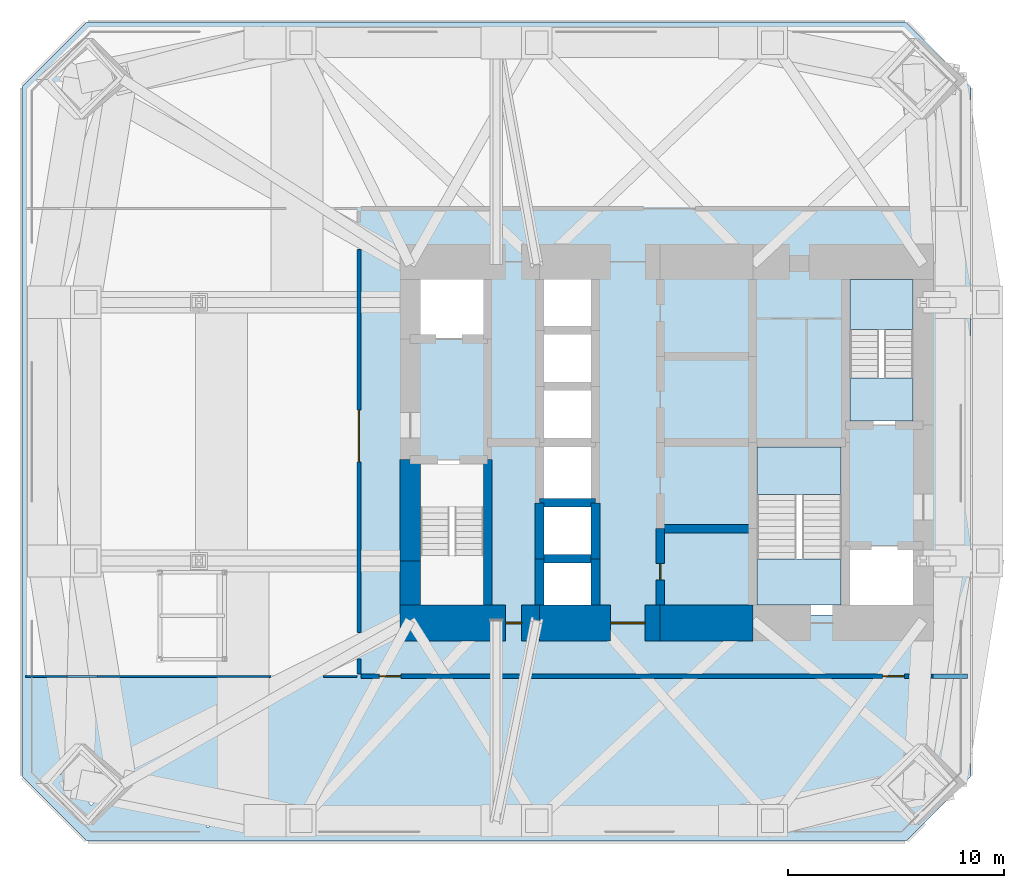
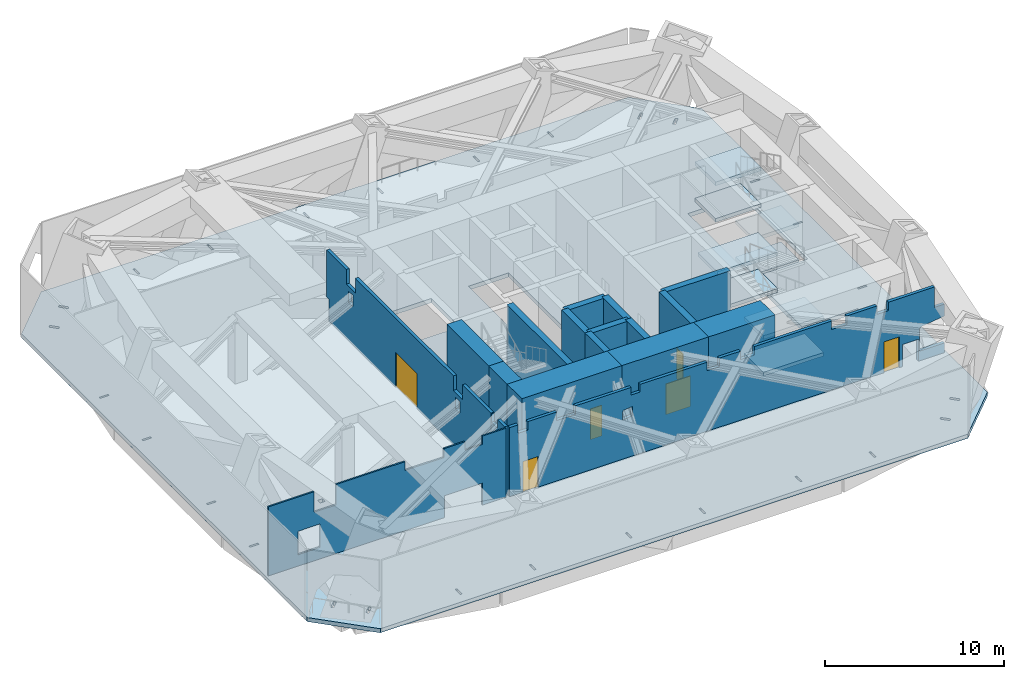
# One storey, part 4 of 8: 18 walls, 9 slabs, 6 doors, 6 openings, 2 elements without a shape of their own.
"""IFC4 building model written with IfcOpenShell, lengths in metres."""

from ifc_helpers import new_model, si_unit, direction, frame, frame_2d, origin, place, context, subcontext, project, spatial, polyline, rectangle, outline, extrude, material, layer, layer_set, constituent, constituent_set, type_object, element, fill, aggregate, save


model = new_model("IFC4")

# Units and contexts
model_context = context("Model", 3, precision=1e-05, world=origin(), true_north=direction((0.0, 1.0)))
body_context = subcontext(model_context, "Body", "Model", "MODEL_VIEW")
ifc_project = project(units=[si_unit("LENGTHUNIT", "METRE"), si_unit("AREAUNIT", "SQUARE_METRE"), si_unit("VOLUMEUNIT", "CUBIC_METRE"), si_unit("PLANEANGLEUNIT", "RADIAN"), si_unit("MASSUNIT", "GRAM", prefix="KILO")], contexts=[model_context])

# Site, building, storey
site_placement = place(None, origin())
site = spatial("IfcSite", under=ifc_project, at=site_placement, CompositionType="ELEMENT")
building_placement = place(site_placement, origin())
building = spatial("IfcBuilding", under=site, at=building_placement, Name="Jalousie Tower", CompositionType="ELEMENT")
storey_placement = place(building_placement, frame((0.0, 0.0, 74.75)))
storey = spatial("IfcBuildingStorey", under=building, at=storey_placement, Name="L20", CompositionType="ELEMENT", Elevation=74.75)

# Slab
ifc_material_1 = material(Name="Concrete f'c 40 MPa", Category="concrete")
ifc_layer_1 = layer(ifc_material_1, 0.280029296875)
ifc_layer_set_1 = layer_set([ifc_layer_1], Name="Concrete f'c 40 MPa")
slab_type_1 = type_object("IfcSlabType", Name="FLOOR SLAB 280", PredefinedType="FLOOR", material=ifc_layer_set_1)
slab_1_placement = place(storey_placement, frame((0.0, 0.0, -0.280029296875)))
element("IfcSlab", 1, at=slab_1_placement, inside=storey, type_object=slab_type_1, Name="L20 floor slab", PredefinedType="FLOOR", context=body_context, shape_type="SweptSolid", body=[
    extrude(outline(polyline([(5.0, 0.0), (43.0, 0.0), (46.0, 3.0), (46.0, 35.0), (43.0, 38.0), (5.0, 38.0), (2.0, 35.0), (2.0, 3.0), (5.0, 0.0)]), holes=[polyline([(26.449951171875, 1.236083984375), (26.449951171875, 0.663818359375), (26.329833984375, 0.663818359375), (26.329833984375, 1.236083984375), (26.449951171875, 1.236083984375)]), polyline([(21.550048828125, 1.236083984375), (21.670166015625, 1.236083984375), (21.670166015625, 0.663818359375), (21.550048828125, 0.663818359375), (21.550048828125, 1.236083984375)]), polyline([(10.550048828125, 0.663818359375), (10.550048828125, 1.236083984375), (10.670166015625, 1.236083984375), (10.670166015625, 0.663818359375), (10.550048828125, 0.663818359375)]), polyline([(15.449951171875, 0.663818359375), (15.329833984375, 0.663818359375), (15.329833984375, 1.236083984375), (15.449951171875, 1.236083984375), (15.449951171875, 0.663818359375)]), polyline([(5.206787109375, 1.651123046875), (5.0849609375, 1.77294921875), (5.48974609375, 2.177734375), (5.611572265625, 2.055908203125), (5.206787109375, 1.651123046875)]), polyline([(4.055908203125, 3.611572265625), (4.177734375, 3.48974609375), (3.77294921875, 3.0849609375), (3.651123046875, 3.206787109375), (4.055908203125, 3.611572265625)]), polyline([(2.663818359375, 10.550048828125), (2.663818359375, 10.670166015625), (3.236083984375, 10.670166015625), (3.236083984375, 10.550048828125), (2.663818359375, 10.550048828125)]), polyline([(20.0, 10.5), (23.60009765625, 10.5), (23.60009765625, 17.699951171875), (20.0, 17.699951171875), (20.0, 10.5)]), polyline([(3.236083984375, 15.449951171875), (3.236083984375, 15.329833984375), (2.663818359375, 15.329833984375), (2.663818359375, 15.449951171875), (3.236083984375, 15.449951171875)]), polyline([(26.0, 26.5), (28.60009765625, 26.5), (28.60009765625, 10.5), (26.0, 10.5), (26.0, 26.5)]), polyline([(3.236083984375, 22.550048828125), (2.663818359375, 22.550048828125), (2.663818359375, 22.670166015625), (3.236083984375, 22.670166015625), (3.236083984375, 22.550048828125)]), polyline([(20.0, 23.300048828125), (23.60009765625, 23.300048828125), (23.60009765625, 26.5), (20.0, 26.5), (20.0, 23.300048828125)]), polyline([(3.236083984375, 27.449951171875), (3.236083984375, 27.329833984375), (2.663818359375, 27.329833984375), (2.663818359375, 27.449951171875), (3.236083984375, 27.449951171875)]), polyline([(3.651123046875, 34.793212890625), (3.77294921875, 34.9150390625), (4.177734375, 34.51025390625), (4.055908203125, 34.388427734375), (3.651123046875, 34.793212890625)]), polyline([(5.611572265625, 35.944091796875), (5.48974609375, 35.822265625), (5.0849609375, 36.22705078125), (5.206787109375, 36.348876953125), (5.611572265625, 35.944091796875)]), polyline([(15.449951171875, 36.763916015625), (15.329833984375, 36.763916015625), (15.329833984375, 37.336181640625), (15.449951171875, 37.336181640625), (15.449951171875, 36.763916015625)]), polyline([(21.550048828125, 37.336181640625), (21.670166015625, 37.336181640625), (21.670166015625, 36.763916015625), (21.550048828125, 36.763916015625), (21.550048828125, 37.336181640625)]), polyline([(10.550048828125, 37.336181640625), (10.670166015625, 37.336181640625), (10.670166015625, 36.763916015625), (10.550048828125, 36.763916015625), (10.550048828125, 37.336181640625)]), polyline([(26.449951171875, 36.763916015625), (26.329833984375, 36.763916015625), (26.329833984375, 37.336181640625), (26.449951171875, 37.336181640625), (26.449951171875, 36.763916015625)]), polyline([(32.550048828125, 1.236083984375), (32.670166015625, 1.236083984375), (32.670166015625, 0.663818359375), (32.550048828125, 0.663818359375), (32.550048828125, 1.236083984375)]), polyline([(37.449951171875, 0.663818359375), (37.329833984375, 0.663818359375), (37.329833984375, 1.236083984375), (37.449951171875, 1.236083984375), (37.449951171875, 0.663818359375)]), polyline([(42.388427734375, 2.055908203125), (42.51025390625, 2.177734375), (42.9150390625, 1.77294921875), (42.793212890625, 1.651123046875), (42.388427734375, 2.055908203125)]), polyline([(44.348876953125, 3.206787109375), (44.22705078125, 3.0849609375), (43.822265625, 3.48974609375), (43.944091796875, 3.611572265625), (44.348876953125, 3.206787109375)]), polyline([(44.763916015625, 10.550048828125), (44.763916015625, 10.670166015625), (45.336181640625, 10.670166015625), (45.336181640625, 10.550048828125), (44.763916015625, 10.550048828125)]), polyline([(35.89990234375, 18.5), (40.199951171875, 18.5), (40.199951171875, 13.699951171875), (43.800048828125, 13.699951171875), (43.800048828125, 10.5), (35.89990234375, 10.5), (35.89990234375, 18.5)]), polyline([(45.336181640625, 15.449951171875), (45.336181640625, 15.329833984375), (44.763916015625, 15.329833984375), (44.763916015625, 15.449951171875), (45.336181640625, 15.449951171875)]), polyline([(45.336181640625, 22.550048828125), (44.763916015625, 22.550048828125), (44.763916015625, 22.670166015625), (45.336181640625, 22.670166015625), (45.336181640625, 22.550048828125)]), polyline([(40.199951171875, 19.300048828125), (43.800048828125, 19.300048828125), (43.800048828125, 26.5), (40.199951171875, 26.5), (40.199951171875, 19.300048828125)]), polyline([(45.336181640625, 27.449951171875), (45.336181640625, 27.329833984375), (44.763916015625, 27.329833984375), (44.763916015625, 27.449951171875), (45.336181640625, 27.449951171875)]), polyline([(43.944091796875, 34.388427734375), (43.822265625, 34.51025390625), (44.22705078125, 34.9150390625), (44.348876953125, 34.793212890625), (43.944091796875, 34.388427734375)]), polyline([(42.793212890625, 36.348876953125), (42.9150390625, 36.22705078125), (42.51025390625, 35.822265625), (42.388427734375, 35.944091796875), (42.793212890625, 36.348876953125)]), polyline([(37.449951171875, 36.763916015625), (37.329833984375, 36.763916015625), (37.329833984375, 37.336181640625), (37.449951171875, 37.336181640625), (37.449951171875, 36.763916015625)]), polyline([(32.550048828125, 37.336181640625), (32.670166015625, 37.336181640625), (32.670166015625, 36.763916015625), (32.550048828125, 36.763916015625), (32.550048828125, 37.336181640625)]), polyline([(8.237548828125, 8.300048828125), (8.53759765625, 8.300048828125), (8.53759765625, 8.60009765625), (8.237548828125, 8.60009765625), (8.237548828125, 8.300048828125)]), polyline([(11.237548828125, 8.300048828125), (11.53759765625, 8.300048828125), (11.53759765625, 8.60009765625), (11.237548828125, 8.60009765625), (11.237548828125, 8.300048828125)]), polyline([(8.237548828125, 12.320068359375), (8.53759765625, 12.320068359375), (8.53759765625, 12.6201171875), (8.237548828125, 12.6201171875), (8.237548828125, 12.320068359375)]), polyline([(11.237548828125, 12.320068359375), (11.53759765625, 12.320068359375), (11.53759765625, 12.6201171875), (11.237548828125, 12.6201171875), (11.237548828125, 12.320068359375)])]), origin(), (0.0, 0.0, 1.0), 0.280029296875),
])

# Stair, slabs
ifc_material_2 = material(Name="Concrete f'c 40 MPa", Category="concrete")
stair_type = type_object("IfcStairType", Name="EXIT STAIR", PredefinedType="HALF_TURN_STAIR", material=ifc_material_2)
stair_1_placement = place(storey_placement, origin())
stair_1 = element("IfcStair", 2, at=stair_1_placement, inside=storey, type_object=stair_type, Name="Exit stair B L20", PredefinedType="HALF_TURN_STAIR")
ifc_material_3 = material(Name="Concrete f'c 40 MPa", Category="concrete")
ifc_layer_2 = layer(ifc_material_3, 0.25)
ifc_layer_set_2 = layer_set([ifc_layer_2], Name="Concrete f'c 40 MPa")
slab_type_2 = type_object("IfcSlabType", Name="STAIR LANDING 250", PredefinedType="LANDING", material=ifc_layer_set_2)
slab_2_placement = place(storey_placement, frame((0.0, 0.0, -0.25)))
slab_2 = element("IfcSlab", 3, at=slab_2_placement, type_object=slab_type_2, Name="ST-B landing 1", PredefinedType="LANDING", context=body_context, shape_type="SweptSolid", body=[
    extrude(outline(polyline([(40.39990234375, 19.5), (43.324951171875, 19.5), (43.324951171875, 21.50244140625), (40.39990234375, 21.50244140625), (40.39990234375, 19.5)])), origin(), (0.0, 0.0, 1.0), 0.25),
])
slab_3_placement = place(storey_placement, frame((0.0, 0.0, 1.0)))
slab_3 = element("IfcSlab", 4, at=slab_3_placement, type_object=slab_type_2, Name="ST-B landing 2", PredefinedType="LANDING", context=body_context, shape_type="SweptSolid", body=[
    extrude(outline(polyline([(40.39990234375, 23.742431640625), (43.324951171875, 23.742431640625), (43.324951171875, 26.050048828125), (40.39990234375, 26.050048828125), (40.39990234375, 23.742431640625)])), origin(), (0.0, 0.0, 1.0), 0.25),
])
slab_4_placement = place(storey_placement, frame((0.0, 0.0, 2.25)))
slab_4 = element("IfcSlab", 5, at=slab_4_placement, type_object=slab_type_2, Name="ST-B landing 3", PredefinedType="LANDING", context=body_context, shape_type="SweptSolid", body=[
    extrude(outline(polyline([(40.39990234375, 19.5), (43.324951171875, 19.5), (43.324951171875, 21.50244140625), (40.39990234375, 21.50244140625), (40.39990234375, 19.5)])), origin(), (0.0, 0.0, 1.0), 0.25),
])
slab_5_placement = place(storey_placement, frame((0.0, 0.0, 3.5)))
slab_5 = element("IfcSlab", 6, at=slab_5_placement, type_object=slab_type_2, Name="ST-B landing 4", PredefinedType="LANDING", context=body_context, shape_type="SweptSolid", body=[
    extrude(outline(polyline([(40.39990234375, 23.742431640625), (43.324951171875, 23.742431640625), (43.324951171875, 26.050048828125), (40.39990234375, 26.050048828125), (40.39990234375, 23.742431640625)])), origin(), (0.0, 0.0, 1.0), 0.25),
])
aggregate(stair_1, [slab_2, slab_3, slab_4, slab_5])

stair_2_placement = place(storey_placement, origin())
stair_2 = element("IfcStair", 7, at=stair_2_placement, inside=storey, type_object=stair_type, Name="Exit stair C L20", PredefinedType="HALF_TURN_STAIR")
slab_6_placement = place(storey_placement, frame((0.0, 0.0, -0.25)))
slab_6 = element("IfcSlab", 8, at=slab_6_placement, type_object=slab_type_2, Name="ST-C landing 1", PredefinedType="LANDING", context=body_context, shape_type="SweptSolid", body=[
    extrude(outline(polyline([(36.10009765625, 10.949951171875), (40.0, 10.949951171875), (40.0, 13.097412109375), (36.10009765625, 13.097412109375), (36.10009765625, 10.949951171875)])), origin(), (0.0, 0.0, 1.0), 0.25),
])
slab_7_placement = place(storey_placement, frame((0.0, 0.0, 1.0)))
slab_7 = element("IfcSlab", 9, at=slab_7_placement, type_object=slab_type_2, Name="ST-C landing 2", PredefinedType="LANDING", context=body_context, shape_type="SweptSolid", body=[
    extrude(outline(polyline([(36.10009765625, 16.097412109375), (40.0, 16.097412109375), (40.0, 18.300048828125), (36.10009765625, 18.300048828125), (36.10009765625, 16.097412109375)])), origin(), (0.0, 0.0, 1.0), 0.25),
])
slab_8_placement = place(storey_placement, frame((0.0, 0.0, 2.25)))
slab_8 = element("IfcSlab", 10, at=slab_8_placement, type_object=slab_type_2, Name="ST-C landing 3", PredefinedType="LANDING", context=body_context, shape_type="SweptSolid", body=[
    extrude(outline(polyline([(36.10009765625, 10.949951171875), (40.0, 10.949951171875), (40.0, 13.097412109375), (36.10009765625, 13.097412109375), (36.10009765625, 10.949951171875)])), origin(), (0.0, 0.0, 1.0), 0.25),
])
slab_9_placement = place(storey_placement, frame((0.0, 0.0, 3.5)))
slab_9 = element("IfcSlab", 11, at=slab_9_placement, type_object=slab_type_2, Name="ST-C landing 4", PredefinedType="LANDING", context=body_context, shape_type="SweptSolid", body=[
    extrude(outline(polyline([(36.10009765625, 16.097412109375), (40.0, 16.097412109375), (40.0, 18.300048828125), (36.10009765625, 18.300048828125), (36.10009765625, 16.097412109375)])), origin(), (0.0, 0.0, 1.0), 0.25),
])
aggregate(stair_2, [slab_6, slab_7, slab_8, slab_9])

# Wall, opening, door
ifc_material_4 = material(Name="Concrete f'c 120 MPa", Category="concrete")
ifc_layer_3 = layer(ifc_material_4, 1.64990234375)
ifc_layer_set_3 = layer_set([ifc_layer_3], Name="Concrete f'c 120 MPa")
wall_type_1 = type_object("IfcWallType", Name="CORE WALL 1650", PredefinedType="SHEAR", material=ifc_layer_set_3)
wall_1_placement = place(storey_placement, frame((19.52490234375, 10.125, 0.0), z_axis=(0.0, 0.0, 1.0), x_axis=(1.0, 0.0, 0.0)))
wall_1 = element("IfcWall", 12, at=wall_1_placement, inside=storey, type_object=wall_type_1, Name="Core wall SA L20", PredefinedType="SHEAR", context=body_context, shape_type="SweptSolid", body=[
    extrude(rectangle(XDim=6.47509765625, YDim=1.64990234375, at=frame_2d((3.237548828125, 0.0))), origin(), (0.0, 0.0, 1.0), 5.0),
])
opening_1_placement = place(wall_1_placement, frame((4.89990234375, 0.0, 0.0)))
opening_1 = element("IfcOpeningElement", 13, at=opening_1_placement, cuts=wall_1, Name="Opening D16", PredefinedType="OPENING", context=body_context, shape_type="SweptSolid", body=[
    extrude(rectangle(XDim=0.75, YDim=2.10009765625, at=frame_2d((0.375, 1.050048828125))), frame((0.0, 0.8349609375, 0.0), z_axis=(0.0, -1.0, 0.0), x_axis=(1.0, 0.0, 0.0)), (0.0, 0.0, 1.0), 1.669921875),
])
ifc_material_5 = material(Name="Steel fire door", Category="steel")
door_type_1 = type_object("IfcDoorType", Name="RISER DOOR 750", OperationType="SINGLE_SWING_LEFT", PredefinedType="DOOR", material=ifc_material_5)
door_1_placement = place(opening_1_placement, origin())
door_1 = element("IfcDoor", 14, at=door_1_placement, inside=storey, type_object=door_type_1, Name="South riser door", OperationType="SINGLE_SWING_LEFT", OverallHeight=2.10009765625, OverallWidth=0.75, PredefinedType="DOOR", context=body_context, shape_type="SweptSolid", body=[
    extrude(rectangle(XDim=0.75, YDim=2.10009765625, at=frame_2d((0.375, 1.050048828125))), frame((0.0, 0.02490234375, 0.0), z_axis=(0.0, -1.0, 0.0), x_axis=(1.0, 0.0, 0.0)), (0.0, 0.0, 1.0), 0.050048828125),
])
fill(opening_1, door_1)

wall_2_placement = place(storey_placement, frame((26.0, 10.125, 0.0), z_axis=(0.0, 0.0, 1.0), x_axis=(1.0, 0.0, 0.0)))
wall_2 = element("IfcWall", 15, at=wall_2_placement, inside=storey, type_object=wall_type_1, Name="Core wall SB L20", PredefinedType="SHEAR", context=body_context, shape_type="SweptSolid", body=[
    extrude(rectangle(XDim=5.60009765625, YDim=1.64990234375, at=frame_2d((2.800048828125, 0.0))), origin(), (0.0, 0.0, 1.0), 5.0),
])
opening_2_placement = place(wall_2_placement, frame((3.300048828125, 0.0, 0.0)))
opening_2 = element("IfcOpeningElement", 16, at=opening_2_placement, cuts=wall_2, Name="Opening D15", PredefinedType="OPENING", context=body_context, shape_type="SweptSolid", body=[
    extrude(rectangle(XDim=1.60009765625, YDim=2.10009765625, at=frame_2d((0.800048828125, 1.050048828125))), frame((0.0, 0.8349609375, 0.0), z_axis=(0.0, -1.0, 0.0), x_axis=(1.0, 0.0, 0.0)), (0.0, 0.0, 1.0), 1.669921875),
])
ifc_material_6 = material(Name="Steel fire door", Category="steel")
door_type_2 = type_object("IfcDoorType", Name="LIFT LOBBY DOOR 1600", OperationType="DOUBLE_DOOR_SINGLE_SWING", PredefinedType="DOOR", material=ifc_material_6)
door_2_placement = place(opening_2_placement, origin())
door_2 = element("IfcDoor", 17, at=door_2_placement, inside=storey, type_object=door_type_2, Name="Lift lobby south door", OperationType="DOUBLE_DOOR_SINGLE_SWING", OverallHeight=2.10009765625, OverallWidth=1.60009765625, PredefinedType="DOOR", context=body_context, shape_type="SweptSolid", body=[
    extrude(rectangle(XDim=1.60009765625, YDim=2.10009765625, at=frame_2d((0.800048828125, 1.050048828125))), frame((0.0, 0.02490234375, 0.0), z_axis=(0.0, -1.0, 0.0), x_axis=(1.0, 0.0, 0.0)), (0.0, 0.0, 1.0), 0.050048828125),
])
fill(opening_2, door_2)

# Walls
wall_3_placement = place(storey_placement, frame((31.60009765625, 10.125, 0.0), z_axis=(0.0, 0.0, 1.0), x_axis=(1.0, 0.0, 0.0)))
element("IfcWall", 18, at=wall_3_placement, inside=storey, type_object=wall_type_1, Name="Core wall SC L20", PredefinedType="SHEAR", context=body_context, shape_type="SweptSolid", body=[
    extrude(rectangle(XDim=4.2998046875, YDim=1.64990234375, at=frame_2d((2.14990234375, 0.0))), origin(), (0.0, 0.0, 1.0), 5.0),
])
ifc_material_7 = material(Name="Concrete f'c 120 MPa", Category="concrete")
ifc_layer_4 = layer(ifc_material_7, 0.39990234375)
ifc_layer_set_4 = layer_set([ifc_layer_4], Name="Concrete f'c 120 MPa")
wall_type_2 = type_object("IfcWallType", Name="CORE WALL 400", PredefinedType="SHEAR", material=ifc_layer_set_4)
wall_4_placement = place(storey_placement, frame((23.60009765625, 10.949951171875, 0.0), z_axis=(0.0, 0.0, 1.0), x_axis=(0.0, 1.0, 0.0)))
element("IfcWall", 19, at=wall_4_placement, inside=storey, type_object=wall_type_2, Name="Core wall X23.6A L20", PredefinedType="SHEAR", context=body_context, shape_type="SweptSolid", body=[
    extrude(rectangle(XDim=6.75, YDim=0.39990234375, at=frame_2d((3.375, 0.0))), origin(), (0.0, 0.0, 1.0), 5.0),
])
wall_5_placement = place(storey_placement, frame((26.0, 10.949951171875, 0.0), z_axis=(0.0, 0.0, 1.0), x_axis=(0.0, 1.0, 0.0)))
element("IfcWall", 20, at=wall_5_placement, inside=storey, type_object=wall_type_2, Name="Core wall X26A L20", PredefinedType="SHEAR", context=body_context, shape_type="SweptSolid", body=[
    extrude(rectangle(XDim=2.150146484375, YDim=0.39990234375, at=frame_2d((1.0751953125, 0.0))), origin(), (0.0, 0.0, 1.0), 5.0),
])
wall_6_placement = place(storey_placement, frame((26.0, 13.10009765625, 0.0), z_axis=(0.0, 0.0, 1.0), x_axis=(0.0, 1.0, 0.0)))
element("IfcWall", 21, at=wall_6_placement, inside=storey, type_object=wall_type_2, Name="Core wall X26B L20", PredefinedType="SHEAR", context=body_context, shape_type="SweptSolid", body=[
    extrude(rectangle(XDim=2.599853515625, YDim=0.39990234375, at=frame_2d((1.2998046875, 0.0))), origin(), (0.0, 0.0, 1.0), 5.0),
])
wall_7_placement = place(storey_placement, frame((28.60009765625, 10.949951171875, 0.0), z_axis=(0.0, 0.0, 1.0), x_axis=(0.0, 1.0, 0.0)))
element("IfcWall", 22, at=wall_7_placement, inside=storey, type_object=wall_type_2, Name="Core wall X28.6A L20", PredefinedType="SHEAR", context=body_context, shape_type="SweptSolid", body=[
    extrude(rectangle(XDim=2.150146484375, YDim=0.39990234375, at=frame_2d((1.0751953125, 0.0))), origin(), (0.0, 0.0, 1.0), 5.0),
])
wall_8_placement = place(storey_placement, frame((28.60009765625, 13.10009765625, 0.0), z_axis=(0.0, 0.0, 1.0), x_axis=(0.0, 1.0, 0.0)))
element("IfcWall", 23, at=wall_8_placement, inside=storey, type_object=wall_type_2, Name="Core wall X28.6B L20", PredefinedType="SHEAR", context=body_context, shape_type="SweptSolid", body=[
    extrude(rectangle(XDim=2.599853515625, YDim=0.39990234375, at=frame_2d((1.2998046875, 0.0))), origin(), (0.0, 0.0, 1.0), 5.0),
])

# Wall, opening, door
wall_9_placement = place(storey_placement, frame((31.60009765625, 10.949951171875, 0.0), z_axis=(0.0, 0.0, 1.0), x_axis=(0.0, 1.0, 0.0)))
wall_9 = element("IfcWall", 24, at=wall_9_placement, inside=storey, type_object=wall_type_2, Name="Core wall X31.6A L20", PredefinedType="SHEAR", context=body_context, shape_type="SweptSolid", body=[
    extrude(rectangle(XDim=3.550048828125, YDim=0.39990234375, at=frame_2d((1.77490234375, 0.0))), origin(), (0.0, 0.0, 1.0), 5.0),
])
opening_3_placement = place(wall_9_placement, frame((1.175048828125, 0.0, 0.0)))
opening_3 = element("IfcOpeningElement", 25, at=opening_3_placement, cuts=wall_9, Name="Opening D16", PredefinedType="OPENING", context=body_context, shape_type="SweptSolid", body=[
    extrude(rectangle(XDim=0.75, YDim=2.10009765625, at=frame_2d((0.375, 1.050048828125))), frame((0.0, 0.2099609375, 0.0), z_axis=(0.0, -1.0, 0.0), x_axis=(1.0, 0.0, 0.0)), (0.0, 0.0, 1.0), 0.419921875),
])
door_3_placement = place(opening_3_placement, frame((0.75, 0.0, 0.0), z_axis=(0.0, 0.0, 1.0), x_axis=(-1.0, 0.0, 0.0)))
door_3 = element("IfcDoor", 26, at=door_3_placement, inside=storey, type_object=door_type_1, Name="Refuse Room door", OperationType="SINGLE_SWING_RIGHT", OverallHeight=2.10009765625, OverallWidth=0.75, PredefinedType="DOOR", context=body_context, shape_type="SweptSolid", body=[
    extrude(rectangle(XDim=0.75, YDim=2.10009765625, at=frame_2d((0.375, 1.050048828125))), frame((0.0, 0.02490234375, 0.0), z_axis=(0.0, -1.0, 0.0), x_axis=(1.0, 0.0, 0.0)), (0.0, 0.0, 1.0), 0.050048828125),
])
fill(opening_3, door_3)

# Walls
for number, where, z_axis, x_axis, name in (
    (27, (26.0, 13.10009765625, 0.0), (0.0, 0.0, 1.0), (1.0, 0.0, 0.0), "Core wall Y26-13.1 L20"),
    (28, (26.0, 15.699951171875, 0.0), (0.0, 0.0, 1.0), (1.0, 0.0, 0.0), "Core wall Y26-15.7 L20"),
):
    element("IfcWall", number, at=place(storey_placement, frame(where, z_axis=z_axis, x_axis=x_axis)), inside=storey, type_object=wall_type_2, Name=name, PredefinedType="SHEAR", context=body_context, shape_type="SweptSolid", body=[
        extrude(rectangle(XDim=2.60009765625, YDim=0.39990234375, at=frame_2d((1.300048828125, 0.0))), origin(), (0.0, 0.0, 1.0), 5.0),
    ])
wall_10_placement = place(storey_placement, frame((31.60009765625, 14.5, 0.0), z_axis=(0.0, 0.0, 1.0), x_axis=(1.0, 0.0, 0.0)))
element("IfcWall", 29, at=wall_10_placement, inside=storey, type_object=wall_type_2, Name="Core wall Y31.6-14.5 L20", PredefinedType="SHEAR", context=body_context, shape_type="SweptSolid", body=[
    extrude(rectangle(XDim=4.2998046875, YDim=0.39990234375, at=frame_2d((2.14990234375, 0.0))), origin(), (0.0, 0.0, 1.0), 5.0),
])
ifc_material_8 = material(Name="Concrete f'c 120 MPa", Category="concrete")
ifc_layer_5 = layer(ifc_material_8, 0.949951171875)
ifc_layer_set_5 = layer_set([ifc_layer_5], Name="Concrete f'c 120 MPa")
wall_type_3 = type_object("IfcWallType", Name="CORE WALL 950", PredefinedType="SHEAR", material=ifc_layer_set_5)
wall_11_placement = place(storey_placement, frame((20.0, 17.699951171875, 0.0), z_axis=(0.0, 0.0, 1.0), x_axis=(0.0, -1.0, 0.0)))
element("IfcWall", 30, at=wall_11_placement, inside=storey, type_object=wall_type_3, Name="Core wall WC L20", PredefinedType="SHEAR", context=body_context, shape_type="SweptSolid", body=[
    extrude(rectangle(XDim=4.699951171875, YDim=0.949951171875, at=frame_2d((2.35009765625, 0.0))), origin(), (0.0, 0.0, 1.0), 5.0),
])
wall_12_placement = place(storey_placement, frame((20.0, 13.0, 0.0), z_axis=(0.0, 0.0, 1.0), x_axis=(0.0, -1.0, 0.0)))
element("IfcWall", 31, at=wall_12_placement, inside=storey, type_object=wall_type_3, Name="Core wall WD L20", PredefinedType="SHEAR", context=body_context, shape_type="SweptSolid", body=[
    extrude(rectangle(XDim=2.050048828125, YDim=0.949951171875, at=frame_2d((1.02490234375, 0.0))), origin(), (0.0, 0.0, 1.0), 5.0),
])

# Wall, openings, doors
ifc_material_9 = material(Name="Concrete block ASTM C90", Category="concrete")
ifc_constituent_1 = constituent(ifc_material_9, Name="Body")
ifc_material_10 = material(Name="Render")
ifc_constituent_2 = constituent(ifc_material_10, Name="Finish")
ifc_constituent_set_1 = constituent_set(constituents=[ifc_constituent_1, ifc_constituent_2])
wall_type_4 = type_object("IfcWallType", Name="CORRIDOR WALL 200", PredefinedType="PARTITIONING", material=ifc_constituent_set_1)
wall_13_placement = place(storey_placement, frame((17.72509765625, 7.64990234375, 0.0), z_axis=(0.0, 0.0, 1.0), x_axis=(1.0, 0.0, 0.0)))
wall_13 = element("IfcWall", 32, at=wall_13_placement, inside=storey, type_object=wall_type_4, Name="Corridor Wall 200 L20", PredefinedType="PARTITIONING", context=body_context, shape_type="SweptSolid", body=[
    extrude(outline(polyline([(26.43408203125, 0.0), (28.125, 0.0), (28.125, 0.664794921875), (26.52392578125, 0.664794921875), (26.52392578125, 2.204833984375), (26.594482421875, 2.302001953125), (28.0849609375, 2.504150390625), (28.125, 2.504150390625), (28.125, 3.320068359375), (27.482177734375, 3.320068359375), (27.482177734375, 4.719970703125), (24.4921875, 4.719970703125), (24.4921875, 4.140869140625), (23.7509765625, 4.140869140625), (23.7509765625, 4.719970703125), (21.812744140625, 4.719970703125), (21.812744140625, 4.140869140625), (20.829345703125, 4.140869140625), (20.829345703125, 4.719970703125), (15.827392578125, 4.719970703125), (15.827392578125, 4.140869140625), (14.917236328125, 4.140869140625), (14.917236328125, 4.719970703125), (13.574462890625, 4.719970703125), (13.574462890625, 4.140869140625), (12.767578125, 4.140869140625), (12.767578125, 4.719970703125), (8.439453125, 4.719970703125), (8.439453125, 4.194091796875), (7.860595703125, 4.194091796875), (7.860595703125, 4.719970703125), (4.260009765625, 4.719970703125), (4.260009765625, 4.140869140625), (3.037353515625, 4.140869140625), (3.037353515625, 4.719970703125), (1.18310546875, 4.719970703125), (1.18310546875, 4.140869140625), (0.536376953125, 4.140869140625), (0.536376953125, 4.719970703125), (0.0, 4.719970703125), (0.0, 0.0), (25.42138671875, 0.0), (25.42138671875, 1.5), (26.43408203125, 1.5), (26.43408203125, 0.0)]), holes=[polyline([(7.305419921875, 3.20751953125), (7.3486328125, 3.322509765625), (7.9462890625, 3.384521484375), (7.9462890625, 2.857666015625), (7.903076171875, 2.74267578125), (7.305419921875, 2.680419921875), (7.305419921875, 3.20751953125)])]), frame((0.0, 0.10009765625, 0.0), z_axis=(0.0, -1.0, 0.0), x_axis=(1.0, 0.0, 0.0)), (0.0, 0.0, 1.0), 0.199951171875),
])
opening_4_placement = place(wall_13_placement, frame((0.85009765625, 0.0, 0.0)))
opening_4 = element("IfcOpeningElement", 33, at=opening_4_placement, cuts=wall_13, Name="Opening D21", PredefinedType="OPENING", context=body_context, shape_type="SweptSolid", body=[
    extrude(rectangle(XDim=1.0, YDim=2.10009765625, at=frame_2d((0.5, 1.050048828125))), frame((0.0, 0.10986328125, 0.0), z_axis=(0.0, -1.0, 0.0), x_axis=(1.0, 0.0, 0.0)), (0.0, 0.0, 1.0), 0.219970703125),
])
opening_5_placement = place(wall_13_placement, frame((24.199951171875, 0.0, 0.0)))
opening_5 = element("IfcOpeningElement", 34, at=opening_5_placement, cuts=wall_13, Name="Opening D21", PredefinedType="OPENING", context=body_context, shape_type="SweptSolid", body=[
    extrude(rectangle(XDim=1.0, YDim=2.10009765625, at=frame_2d((0.5, 1.050048828125))), frame((0.0, 0.10986328125, 0.0), z_axis=(0.0, -1.0, 0.0), x_axis=(1.0, 0.0, 0.0)), (0.0, 0.0, 1.0), 0.219970703125),
])
ifc_material_11 = material(Name="Timber fire door", Category="wood")
door_type_3 = type_object("IfcDoorType", Name="CORRIDOR DOOR 1000", OperationType="SINGLE_SWING_LEFT", PredefinedType="DOOR", material=ifc_material_11)
door_4_placement = place(opening_4_placement, frame((1.0, 0.0, 0.0), z_axis=(0.0, 0.0, 1.0), x_axis=(-1.0, 0.0, 0.0)))
door_4 = element("IfcDoor", 35, at=door_4_placement, inside=storey, type_object=door_type_3, Name="Refuge area door", OperationType="SINGLE_SWING_RIGHT", OverallHeight=2.10009765625, OverallWidth=1.0, PredefinedType="DOOR", context=body_context, shape_type="SweptSolid", body=[
    extrude(rectangle(XDim=1.0, YDim=2.10009765625, at=frame_2d((0.5, 1.050048828125))), frame((0.0, 0.02490234375, 0.0), z_axis=(0.0, -1.0, 0.0), x_axis=(1.0, 0.0, 0.0)), (0.0, 0.0, 1.0), 0.050048828125),
])
fill(opening_4, door_4)
door_5_placement = place(opening_5_placement, frame((1.0, 0.0, 0.0), z_axis=(0.0, 0.0, 1.0), x_axis=(-1.0, 0.0, 0.0)))
door_5 = element("IfcDoor", 36, at=door_5_placement, inside=storey, type_object=door_type_3, Name="Refuge area second door", OperationType="SINGLE_SWING_LEFT", OverallHeight=2.10009765625, OverallWidth=1.0, PredefinedType="DOOR", context=body_context, shape_type="SweptSolid", body=[
    extrude(rectangle(XDim=1.0, YDim=2.10009765625, at=frame_2d((0.5, 1.050048828125))), frame((0.0, 0.02490234375, 0.0), z_axis=(0.0, -1.0, 0.0), x_axis=(1.0, 0.0, 0.0)), (0.0, 0.0, 1.0), 0.050048828125),
])
fill(opening_5, door_5)

# Wall
wall_14_placement = place(storey_placement, frame((17.625, 7.75, 0.0), z_axis=(0.0, 0.0, 1.0), x_axis=(0.0, 1.0, 0.0)))
element("IfcWall", 37, at=wall_14_placement, inside=storey, type_object=wall_type_4, Name="Corridor Wall 200 L20", PredefinedType="PARTITIONING", context=body_context, shape_type="SweptSolid", body=[
    extrude(outline(polyline([(1.550048828125, 1.5), (1.550048828125, 4.719970703125), (1.475341796875, 4.719970703125), (1.475341796875, 4.140869140625), (0.817626953125, 4.140869140625), (0.817626953125, 4.719970703125), (0.0, 4.719970703125), (0.0, 0.0), (0.715087890625, 0.0), (0.715087890625, 1.5), (1.550048828125, 1.5)])), frame((0.0, 0.10009765625, 0.0), z_axis=(0.0, -1.0, 0.0), x_axis=(1.0, 0.0, 0.0)), (0.0, 0.0, 1.0), 0.199951171875),
])

# Wall, opening, door
wall_15_placement = place(storey_placement, frame((17.625, 9.300048828125, 0.0), z_axis=(0.0, 0.0, 1.0), x_axis=(0.0, 1.0, 0.0)))
wall_15 = element("IfcWall", 38, at=wall_15_placement, inside=storey, type_object=wall_type_4, Name="Corridor Wall 200 L20", PredefinedType="PARTITIONING", context=body_context, shape_type="SweptSolid", body=[
    extrude(outline(polyline([(18.39990234375, 1.5), (18.39990234375, 4.719970703125), (16.199951171875, 4.719970703125), (16.199951171875, 3.719970703125), (15.199951171875, 3.719970703125), (15.199951171875, 4.719970703125), (4.199951171875, 4.719970703125), (4.199951171875, 3.719970703125), (3.199951171875, 3.719970703125), (3.199951171875, 4.719970703125), (0.0, 4.719970703125), (0.0, 1.5), (0.38037109375, 1.5), (0.38037109375, 0.0), (18.152587890625, 0.0), (18.152587890625, 1.5), (18.39990234375, 1.5)]), holes=[polyline([(3.453857421875, 3.394287109375), (3.9462890625, 3.394287109375), (3.9462890625, 2.622314453125), (3.453857421875, 2.622314453125), (3.453857421875, 3.394287109375)]), polyline([(15.453857421875, 2.622314453125), (15.453857421875, 3.394287109375), (15.9462890625, 3.394287109375), (15.9462890625, 2.622314453125), (15.453857421875, 2.622314453125)])]), frame((0.0, 0.10009765625, 0.0), z_axis=(0.0, -1.0, 0.0), x_axis=(1.0, 0.0, 0.0)), (0.0, 0.0, 1.0), 0.199951171875),
])
opening_6_placement = place(wall_15_placement, frame((8.300048828125, 0.0, 0.0)))
opening_6 = element("IfcOpeningElement", 39, at=opening_6_placement, cuts=wall_15, Name="Opening D9", PredefinedType="OPENING", context=body_context, shape_type="SweptSolid", body=[
    extrude(rectangle(XDim=2.39990234375, YDim=2.39990234375, at=frame_2d((1.199951171875, 1.199951171875))), frame((0.0, 0.10986328125, 0.0), z_axis=(0.0, -1.0, 0.0), x_axis=(1.0, 0.0, 0.0)), (0.0, 0.0, 1.0), 0.219970703125),
])
ifc_material_12 = material(Name="Steel fire door", Category="steel")
door_type_4 = type_object("IfcDoorType", Name="PLANT DOOR 2400", OperationType="DOUBLE_DOOR_SINGLE_SWING", PredefinedType="DOOR", material=ifc_material_12)
door_6_placement = place(opening_6_placement, origin())
door_6 = element("IfcDoor", 40, at=door_6_placement, inside=storey, type_object=door_type_4, Name="Electrical plant room door", OperationType="DOUBLE_DOOR_SINGLE_SWING", OverallHeight=2.39990234375, OverallWidth=2.39990234375, PredefinedType="DOOR", context=body_context, shape_type="SweptSolid", body=[
    extrude(rectangle(XDim=2.39990234375, YDim=2.39990234375, at=frame_2d((1.199951171875, 1.199951171875))), frame((0.0, 0.02490234375, 0.0), z_axis=(0.0, -1.0, 0.0), x_axis=(1.0, 0.0, 0.0)), (0.0, 0.0, 1.0), 0.050048828125),
])
fill(opening_6, door_6)

# Wall
ifc_material_13 = material(Name="Gypsum board", Category="gypsum")
ifc_constituent_3 = constituent(ifc_material_13, Name="Body")
ifc_material_14 = material(Name="Light-gauge steel studs ASTM A653 SS Grade 33", Category="steel")
ifc_constituent_4 = constituent(ifc_material_14, Name="Framing")
ifc_constituent_set_2 = constituent_set(constituents=[ifc_constituent_3, ifc_constituent_4])
wall_type_5 = type_object("IfcWallType", Name="PARTITION 100", PredefinedType="PARTITIONING", material=ifc_constituent_set_2)
wall_16_placement = place(storey_placement, frame((2.14990234375, 7.64990234375, 0.0), z_axis=(0.0, 0.0, 1.0), x_axis=(1.0, 0.0, 0.0)))
element("IfcWall", 41, at=wall_16_placement, inside=storey, type_object=wall_type_5, Name="Partition 100 L20", PredefinedType="PARTITIONING", context=body_context, shape_type="SweptSolid", body=[
    extrude(outline(polyline([(2.9501953125, 4.719970703125), (0.0, 4.719970703125), (0.0, 0.0), (11.37841796875, 0.0), (11.37841796875, 1.5), (13.831787109375, 1.5), (13.831787109375, 0.0), (15.375, 0.0), (15.375, 4.719970703125), (13.8525390625, 4.719970703125), (13.8525390625, 4.140869140625), (12.722900390625, 4.140869140625), (12.722900390625, 4.719970703125), (11.360107421875, 4.719970703125), (11.360107421875, 4.1201171875), (8.840087890625, 4.1201171875), (8.840087890625, 4.719970703125), (4.384765625, 4.719970703125), (4.384765625, 3.320068359375), (2.9501953125, 3.320068359375), (2.9501953125, 4.719970703125)]), holes=[polyline([(1.923583984375, 0.772705078125), (1.923583984375, 2.3212890625), (1.927490234375, 2.37646484375), (3.347412109375, 2.396240234375), (3.347412109375, 0.84765625), (3.34375, 0.792724609375), (1.923583984375, 0.772705078125)])]), frame((0.0, 0.050048828125, 0.0), z_axis=(0.0, -1.0, 0.0), x_axis=(1.0, 0.0, 0.0)), (0.0, 0.0, 1.0), 0.10009765625),
])

save(model, "model.ifc")
